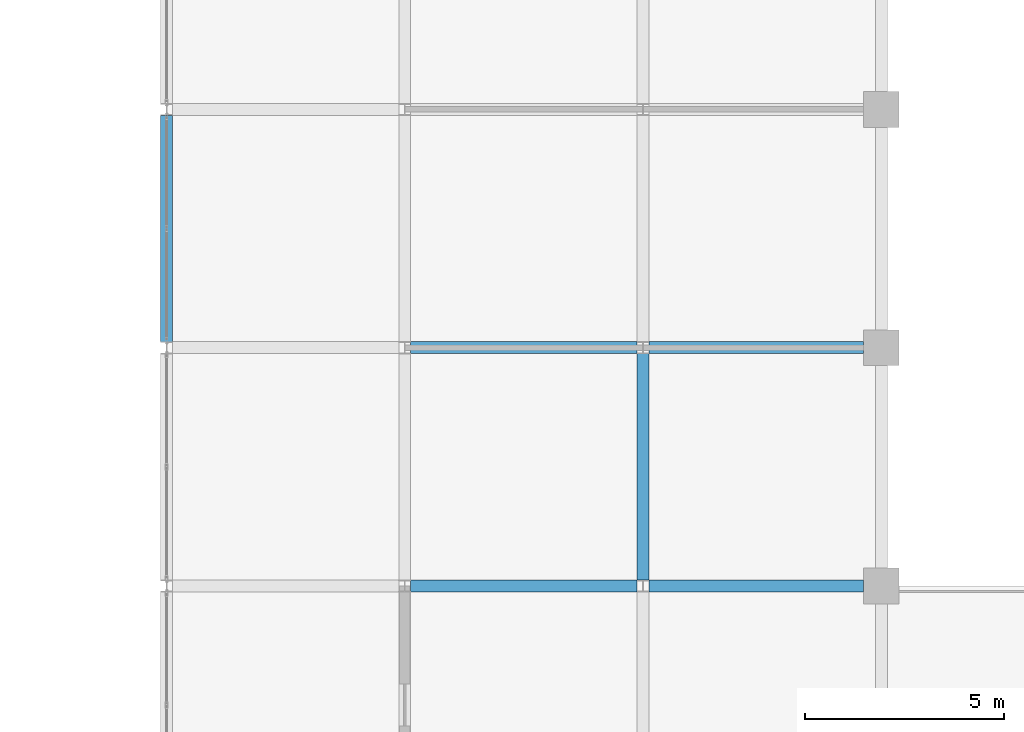
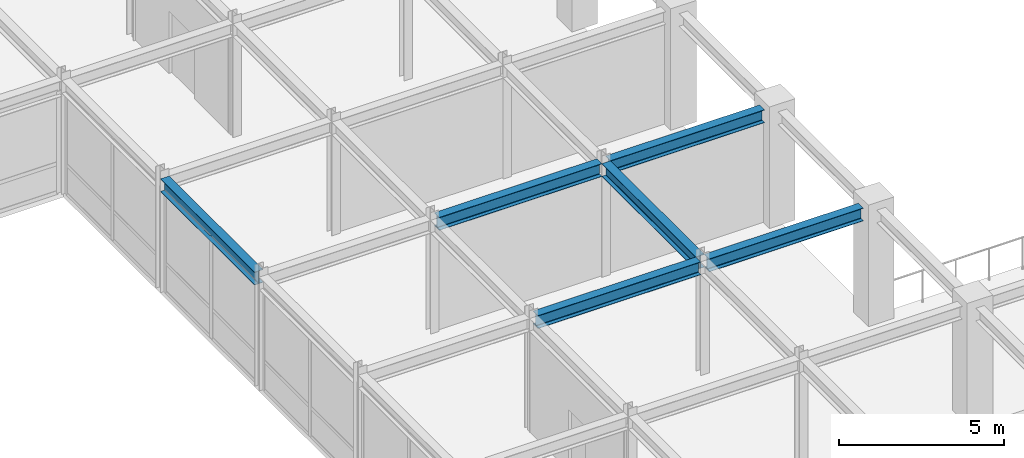
# One storey, part 49 of 108: 6 beams.
"""IFC4 building model written with IfcOpenShell, lengths in metres."""

from ifc_helpers import new_model, si_unit, direction, frame, origin, origin_2d, place, context, subcontext, project, spatial, i_section, extrude, material, material_profile, profile_set, type_object, element, save


model = new_model("IFC4")

# Units and contexts
model_context = context("Model", 3, precision=1e-05, world=origin(), true_north=direction((0.0, 1.0)))
body_context = subcontext(model_context, "Body", "Model", "MODEL_VIEW")
ifc_project = project(units=[si_unit("LENGTHUNIT", "METRE"), si_unit("AREAUNIT", "SQUARE_METRE"), si_unit("VOLUMEUNIT", "CUBIC_METRE"), si_unit("PLANEANGLEUNIT", "RADIAN"), si_unit("MASSUNIT", "GRAM", prefix="KILO")], contexts=[model_context])

# Site, building, storey
site_placement = place(None, origin())
site = spatial("IfcSite", under=ifc_project, at=site_placement, CompositionType="ELEMENT")
building_placement = place(site_placement, origin())
building = spatial("IfcBuilding", under=site, at=building_placement, Name="Zlatovratsky Civic Hall", CompositionType="ELEMENT")
storey_placement = place(building_placement, frame((0.0, 0.0, 12.0)))
storey = spatial("IfcBuildingStorey", under=building, at=storey_placement, Name="L03", CompositionType="ELEMENT", Elevation=12.0)

# Beams
ifc_material = material(Name="Steel S355", Category="steel")
ifc_material_profile = material_profile(ifc_material, i_section(OverallWidth=0.300048828125, OverallDepth=0.48193359375, WebThickness=0.010986328125, FlangeThickness=0.014892578125, FilletRadius=0.02392578125, at=origin_2d()), Name="50Sh1")
ifc_profile_set = profile_set([ifc_material_profile], Name="Steel S355")
beam_type = type_object("IfcBeamType", Name="Beam_LibraryGirder_50Sh1", PredefinedType="BEAM", material=ifc_profile_set)
beam_1_placement = place(storey_placement, frame((54.1494140625, 48.0, 3.97900390625), z_axis=(1.0, 0.0, 0.0), x_axis=(0.0, 1.0, 0.0)))
element("IfcBeam", 1, at=beam_1_placement, inside=storey, type_object=beam_type, Name="BM-2578", PredefinedType="BEAM", context=body_context, shape_type="SweptSolid", body=[
    extrude(i_section(OverallWidth=0.300048828125, OverallDepth=0.48193359375, WebThickness=0.010986328125, FlangeThickness=0.014892578125, FilletRadius=0.02392578125, at=origin_2d()), origin(), (0.0, 0.0, 1.0), 5.701171875),
])
beam_2_placement = place(storey_placement, frame((60.1494140625, 48.0, 3.97900390625), z_axis=(1.0, 0.0, 0.0), x_axis=(0.0, 1.0, 0.0)))
element("IfcBeam", 2, at=beam_2_placement, inside=storey, type_object=beam_type, Name="BM-2579", PredefinedType="BEAM", context=body_context, shape_type="SweptSolid", body=[
    extrude(i_section(OverallWidth=0.300048828125, OverallDepth=0.48193359375, WebThickness=0.010986328125, FlangeThickness=0.014892578125, FilletRadius=0.02392578125, at=origin_2d()), origin(), (0.0, 0.0, 1.0), 5.400634765625),
])
beam_3_placement = place(storey_placement, frame((54.1494140625, 54.0, 3.97900390625), z_axis=(1.0, 0.0, 0.0), x_axis=(0.0, 1.0, 0.0)))
element("IfcBeam", 3, at=beam_3_placement, inside=storey, type_object=beam_type, Name="BM-2588", PredefinedType="BEAM", context=body_context, shape_type="SweptSolid", body=[
    extrude(i_section(OverallWidth=0.300048828125, OverallDepth=0.48193359375, WebThickness=0.010986328125, FlangeThickness=0.014892578125, FilletRadius=0.02392578125, at=origin_2d()), origin(), (0.0, 0.0, 1.0), 5.701171875),
])
beam_4_placement = place(storey_placement, frame((60.1494140625, 54.0, 3.97900390625), z_axis=(1.0, 0.0, 0.0), x_axis=(0.0, 1.0, 0.0)))
element("IfcBeam", 4, at=beam_4_placement, inside=storey, type_object=beam_type, Name="BM-2589", PredefinedType="BEAM", context=body_context, shape_type="SweptSolid", body=[
    extrude(i_section(OverallWidth=0.300048828125, OverallDepth=0.48193359375, WebThickness=0.010986328125, FlangeThickness=0.014892578125, FilletRadius=0.02392578125, at=origin_2d()), origin(), (0.0, 0.0, 1.0), 5.400634765625),
])
for number, where, z_axis, x_axis, name in (
    (5, (48.0, 54.14794921875, 3.97900390625), (0.0, 1.0, 0.0), (-1.0, 0.0, 0.0), "BM-2873"),
    (6, (60.0, 48.14794921875, 3.97900390625), (0.0, 1.0, 0.0), (-1.0, 0.0, 0.0), "BM-2905"),
):
    element("IfcBeam", number, at=place(storey_placement, frame(where, z_axis=z_axis, x_axis=x_axis)), inside=storey, type_object=beam_type, Name=name, PredefinedType="BEAM", context=body_context, shape_type="SweptSolid", body=[
        extrude(i_section(OverallWidth=0.300048828125, OverallDepth=0.48193359375, WebThickness=0.010986328125, FlangeThickness=0.014892578125, FilletRadius=0.02392578125, at=origin_2d()), origin(), (0.0, 0.0, 1.0), 5.7041015625),
    ])

save(model, "model.ifc")
